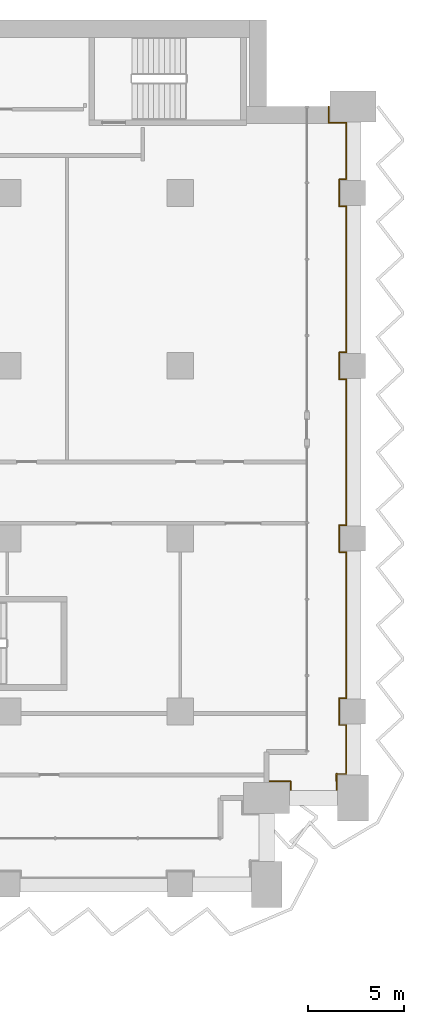
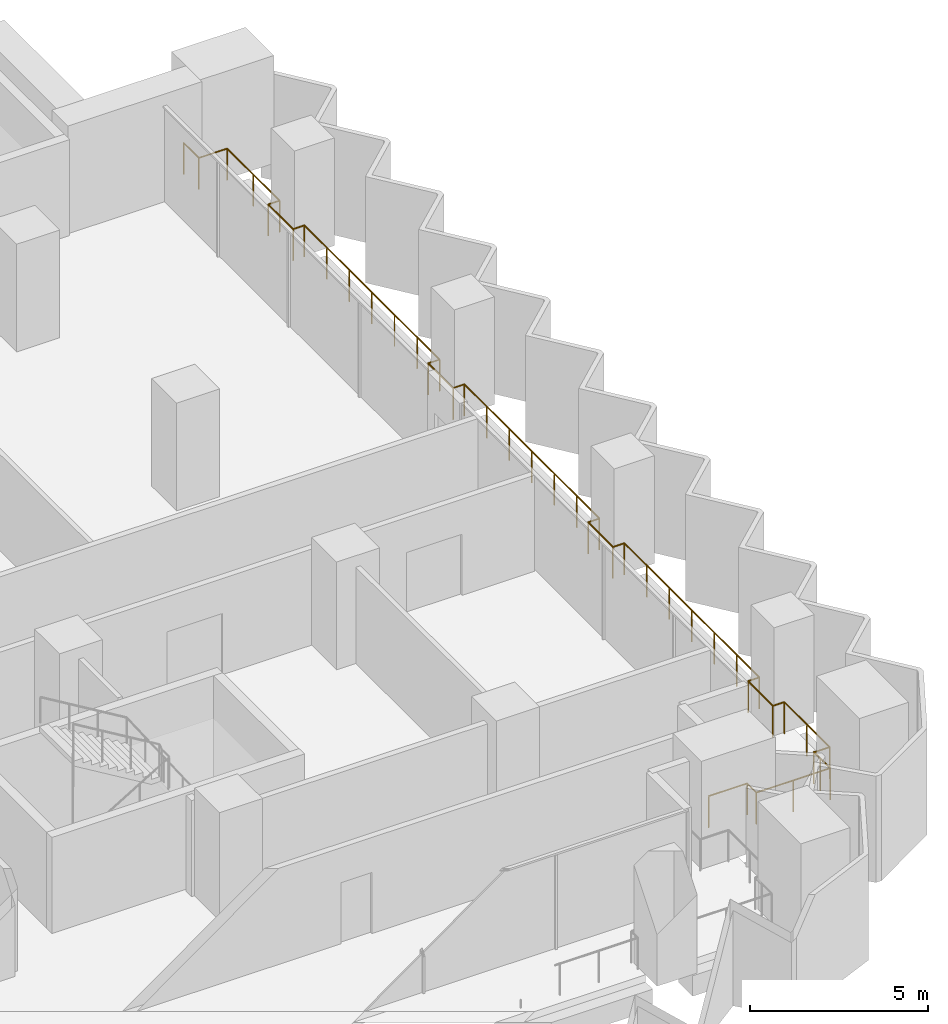
# One storey, part 29 of 29: 1 railing.
"""IFC4 building model written with IfcOpenShell, lengths in metres."""

from ifc_helpers import new_model, si_unit, direction, frame, origin, origin_2d, place, context, subcontext, project, spatial, circle, extrude, material, type_object, element, save


model = new_model("IFC4")

# Units and contexts
model_context = context("Model", 3, precision=1e-05, world=origin(), true_north=direction((0.0, 1.0)))
body_context = subcontext(model_context, "Body", "Model", "MODEL_VIEW")
ifc_project = project(units=[si_unit("LENGTHUNIT", "METRE"), si_unit("AREAUNIT", "SQUARE_METRE"), si_unit("VOLUMEUNIT", "CUBIC_METRE"), si_unit("PLANEANGLEUNIT", "RADIAN"), si_unit("MASSUNIT", "GRAM", prefix="KILO")], contexts=[model_context])

# Site, building, storey
site_placement = place(None, origin())
site = spatial("IfcSite", under=ifc_project, at=site_placement, CompositionType="ELEMENT")
building_placement = place(site_placement, origin())
building = spatial("IfcBuilding", under=site, at=building_placement, Name="Hunhe Ridgeline Campus", CompositionType="ELEMENT")
storey_placement = place(building_placement, frame((0.0, 0.0, 46.89990234375)))
storey = spatial("IfcBuildingStorey", under=building, at=storey_placement, Name="L10", CompositionType="ELEMENT", Elevation=46.89990234375)

# Railing
ifc_material = material(Name="Steel Q355", Category="steel")
railing_type = type_object("IfcRailingType", Name="Loggia guard 1100 Steel Q355", PredefinedType="GUARDRAIL", material=ifc_material)
railing_placement = place(storey_placement, frame((94.5, 59.3701171875, 0.0)))
element("IfcRailing", 1, at=railing_placement, inside=storey, type_object=railing_type, Name="Loggia guard 3", PredefinedType="GUARDRAIL", context=body_context, shape_type="SweptSolid", body=[
    extrude(circle(Radius=0.02392578125, at=origin_2d()), frame((0.0, 0.0, 1.076171875), z_axis=(1.0, 0.0, 0.0), x_axis=(0.0, 1.0, 0.0)), (0.0, 0.0, 1.0), 1.25),
    extrude(circle(Radius=0.02392578125, at=origin_2d()), frame((1.25, 0.0, 1.076171875), z_axis=(0.0, -1.0, 0.0), x_axis=(1.0, 0.0, 0.0)), (0.0, 0.0, 1.0), 0.52001953125),
    extrude(circle(Radius=0.02392578125, at=origin_2d()), frame((1.25, -0.52001953125, 1.076171875), z_axis=(1.0, 0.0, 0.0), x_axis=(0.0, 1.0, 0.0)), (0.0, 0.0, 1.0), 2.39990234375),
    extrude(circle(Radius=0.02392578125, at=origin_2d()), frame((3.64990234375, -0.52001953125, 1.076171875), z_axis=(0.0, 1.0, 0.0), x_axis=(-1.0, 0.0, 0.0)), (0.0, 0.0, 1.0), 0.919921875),
    extrude(circle(Radius=0.02392578125, at=origin_2d()), frame((3.64990234375, 0.39990234375, 1.076171875), z_axis=(-0.049998438503, -0.998749295943, 0.0), x_axis=(0.998749295943, -0.049998438503, 0.0)), (0.0, 0.0, 1.0), 0.400390625),
    extrude(circle(Radius=0.02392578125, at=origin_2d()), frame((3.6298828125, 0.0, 1.076171875), z_axis=(0.0, 1.0, 0.0), x_axis=(-1.0, 0.0, 0.0)), (0.0, 0.0, 1.0), 0.3798828125),
    extrude(circle(Radius=0.02392578125, at=origin_2d()), frame((3.6298828125, 0.3798828125, 1.076171875), z_axis=(1.0, 0.0, 0.0), x_axis=(0.0, 1.0, 0.0)), (0.0, 0.0, 1.0), 0.52001953125),
    extrude(circle(Radius=0.02392578125, at=origin_2d()), frame((4.14990234375, 0.3798828125, 1.076171875), z_axis=(0.0, 1.0, 0.0), x_axis=(-1.0, 0.0, 0.0)), (0.0, 0.0, 1.0), 2.550048828125),
    extrude(circle(Radius=0.02392578125, at=origin_2d()), frame((4.14990234375, 2.929931640625, 1.076171875), z_axis=(-1.0, 0.0, 0.0), x_axis=(0.0, -1.0, 0.0)), (0.0, 0.0, 1.0), 0.369873046875),
    extrude(circle(Radius=0.02392578125, at=origin_2d()), frame((3.780029296875, 2.929931640625, 1.076171875), z_axis=(0.0, 1.0, 0.0), x_axis=(-1.0, 0.0, 0.0)), (0.0, 0.0, 1.0), 1.39990234375),
    extrude(circle(Radius=0.02392578125, at=origin_2d()), frame((3.780029296875, 4.329833984375, 1.076171875), z_axis=(1.0, 0.0, 0.0), x_axis=(0.0, 1.0, 0.0)), (0.0, 0.0, 1.0), 0.369873046875),
    extrude(circle(Radius=0.02392578125, at=origin_2d()), frame((4.14990234375, 4.329833984375, 1.076171875), z_axis=(0.0, 1.0, 0.0), x_axis=(-1.0, 0.0, 0.0)), (0.0, 0.0, 1.0), 7.60009765625),
    extrude(circle(Radius=0.02392578125, at=origin_2d()), frame((4.14990234375, 11.929931640625, 1.076171875), z_axis=(-1.0, 0.0, 0.0), x_axis=(0.0, -1.0, 0.0)), (0.0, 0.0, 1.0), 0.369873046875),
    extrude(circle(Radius=0.02392578125, at=origin_2d()), frame((3.780029296875, 11.929931640625, 1.076171875), z_axis=(0.0, 1.0, 0.0), x_axis=(-1.0, 0.0, 0.0)), (0.0, 0.0, 1.0), 1.39990234375),
    extrude(circle(Radius=0.02392578125, at=origin_2d()), frame((3.780029296875, 13.329833984375, 1.076171875), z_axis=(1.0, 0.0, 0.0), x_axis=(0.0, 1.0, 0.0)), (0.0, 0.0, 1.0), 0.369873046875),
    extrude(circle(Radius=0.02392578125, at=origin_2d()), frame((4.14990234375, 13.329833984375, 1.076171875), z_axis=(0.0, 1.0, 0.0), x_axis=(-1.0, 0.0, 0.0)), (0.0, 0.0, 1.0), 7.60009765625),
    extrude(circle(Radius=0.02392578125, at=origin_2d()), frame((4.14990234375, 20.929931640625, 1.076171875), z_axis=(-1.0, 0.0, 0.0), x_axis=(0.0, -1.0, 0.0)), (0.0, 0.0, 1.0), 0.369873046875),
    extrude(circle(Radius=0.02392578125, at=origin_2d()), frame((3.780029296875, 20.929931640625, 1.076171875), z_axis=(0.0, 1.0, 0.0), x_axis=(-1.0, 0.0, 0.0)), (0.0, 0.0, 1.0), 1.39990234375),
    extrude(circle(Radius=0.02392578125, at=origin_2d()), frame((3.780029296875, 22.329833984375, 1.076171875), z_axis=(1.0, 0.0, 0.0), x_axis=(0.0, 1.0, 0.0)), (0.0, 0.0, 1.0), 0.369873046875),
    extrude(circle(Radius=0.02392578125, at=origin_2d()), frame((4.14990234375, 22.329833984375, 1.076171875), z_axis=(0.0, 1.0, 0.0), x_axis=(-1.0, 0.0, 0.0)), (0.0, 0.0, 1.0), 7.60009765625),
    extrude(circle(Radius=0.02392578125, at=origin_2d()), frame((4.14990234375, 29.929931640625, 1.076171875), z_axis=(-1.0, 0.0, 0.0), x_axis=(0.0, -1.0, 0.0)), (0.0, 0.0, 1.0), 0.369873046875),
    extrude(circle(Radius=0.02392578125, at=origin_2d()), frame((3.780029296875, 29.929931640625, 1.076171875), z_axis=(0.0, 1.0, 0.0), x_axis=(-1.0, 0.0, 0.0)), (0.0, 0.0, 1.0), 1.39990234375),
    extrude(circle(Radius=0.02392578125, at=origin_2d()), frame((3.780029296875, 31.329833984375, 1.076171875), z_axis=(1.0, 0.0, 0.0), x_axis=(0.0, 1.0, 0.0)), (0.0, 0.0, 1.0), 0.369873046875),
    extrude(circle(Radius=0.02392578125, at=origin_2d()), frame((4.14990234375, 31.329833984375, 1.076171875), z_axis=(0.0, 1.0, 0.0), x_axis=(-1.0, 0.0, 0.0)), (0.0, 0.0, 1.0), 2.949951171875),
    extrude(circle(Radius=0.02392578125, at=origin_2d()), frame((4.14990234375, 34.27978515625, 1.076171875), z_axis=(-1.0, 0.0, 0.0), x_axis=(0.0, -1.0, 0.0)), (0.0, 0.0, 1.0), 0.919921875),
    extrude(circle(Radius=0.02392578125, at=origin_2d()), frame((3.22998046875, 34.27978515625, 1.076171875), z_axis=(0.0, 1.0, 0.0), x_axis=(-1.0, 0.0, 0.0)), (0.0, 0.0, 1.0), 0.85009765625),
    extrude(circle(Radius=0.02099609375, at=origin_2d()), origin(), (0.0, 0.0, 1.0), 1.052001953125),
    extrude(circle(Radius=0.02099609375, at=origin_2d()), frame((1.25, 0.0, 0.0)), (0.0, 0.0, 1.0), 1.052001953125),
    extrude(circle(Radius=0.02099609375, at=origin_2d()), frame((1.25, -0.52001953125, 0.0)), (0.0, 0.0, 1.0), 1.052001953125),
    extrude(circle(Radius=0.02099609375, at=origin_2d()), frame((2.449951171875, -0.52001953125, 0.0)), (0.0, 0.0, 1.0), 1.052001953125),
    extrude(circle(Radius=0.02099609375, at=origin_2d()), frame((3.64990234375, -0.52001953125, 0.0)), (0.0, 0.0, 1.0), 1.052001953125),
    extrude(circle(Radius=0.02099609375, at=origin_2d()), frame((3.64990234375, 0.39990234375, 0.0)), (0.0, 0.0, 1.0), 1.052001953125),
    extrude(circle(Radius=0.02099609375, at=origin_2d()), frame((3.6298828125, 0.0, 0.0)), (0.0, 0.0, 1.0), 1.052001953125),
    extrude(circle(Radius=0.02099609375, at=origin_2d()), frame((3.6298828125, 0.3798828125, 0.0)), (0.0, 0.0, 1.0), 1.052001953125),
    extrude(circle(Radius=0.02099609375, at=origin_2d()), frame((4.14990234375, 0.3798828125, 0.0)), (0.0, 0.0, 1.0), 1.052001953125),
    extrude(circle(Radius=0.02099609375, at=origin_2d()), frame((4.14990234375, 1.65478515625, 0.0)), (0.0, 0.0, 1.0), 1.052001953125),
    extrude(circle(Radius=0.02099609375, at=origin_2d()), frame((4.14990234375, 2.929931640625, 0.0)), (0.0, 0.0, 1.0), 1.052001953125),
    extrude(circle(Radius=0.02099609375, at=origin_2d()), frame((3.780029296875, 2.929931640625, 0.0)), (0.0, 0.0, 1.0), 1.052001953125),
    extrude(circle(Radius=0.02099609375, at=origin_2d()), frame((3.780029296875, 4.329833984375, 0.0)), (0.0, 0.0, 1.0), 1.052001953125),
    extrude(circle(Radius=0.02099609375, at=origin_2d()), frame((4.14990234375, 4.329833984375, 0.0)), (0.0, 0.0, 1.0), 1.052001953125),
    extrude(circle(Radius=0.02099609375, at=origin_2d()), frame((4.14990234375, 5.596435546875, 0.0)), (0.0, 0.0, 1.0), 1.052001953125),
    extrude(circle(Radius=0.02099609375, at=origin_2d()), frame((4.14990234375, 6.86328125, 0.0)), (0.0, 0.0, 1.0), 1.052001953125),
    extrude(circle(Radius=0.02099609375, at=origin_2d()), frame((4.14990234375, 8.1298828125, 0.0)), (0.0, 0.0, 1.0), 1.052001953125),
    extrude(circle(Radius=0.02099609375, at=origin_2d()), frame((4.14990234375, 9.396484375, 0.0)), (0.0, 0.0, 1.0), 1.052001953125),
    extrude(circle(Radius=0.02099609375, at=origin_2d()), frame((4.14990234375, 10.663330078125, 0.0)), (0.0, 0.0, 1.0), 1.052001953125),
    extrude(circle(Radius=0.02099609375, at=origin_2d()), frame((4.14990234375, 11.929931640625, 0.0)), (0.0, 0.0, 1.0), 1.052001953125),
    extrude(circle(Radius=0.02099609375, at=origin_2d()), frame((3.780029296875, 11.929931640625, 0.0)), (0.0, 0.0, 1.0), 1.052001953125),
    extrude(circle(Radius=0.02099609375, at=origin_2d()), frame((3.780029296875, 13.329833984375, 0.0)), (0.0, 0.0, 1.0), 1.052001953125),
    extrude(circle(Radius=0.02099609375, at=origin_2d()), frame((4.14990234375, 13.329833984375, 0.0)), (0.0, 0.0, 1.0), 1.052001953125),
    extrude(circle(Radius=0.02099609375, at=origin_2d()), frame((4.14990234375, 14.596435546875, 0.0)), (0.0, 0.0, 1.0), 1.052001953125),
    extrude(circle(Radius=0.02099609375, at=origin_2d()), frame((4.14990234375, 15.86328125, 0.0)), (0.0, 0.0, 1.0), 1.052001953125),
    extrude(circle(Radius=0.02099609375, at=origin_2d()), frame((4.14990234375, 17.1298828125, 0.0)), (0.0, 0.0, 1.0), 1.052001953125),
    extrude(circle(Radius=0.02099609375, at=origin_2d()), frame((4.14990234375, 18.396484375, 0.0)), (0.0, 0.0, 1.0), 1.052001953125),
    extrude(circle(Radius=0.02099609375, at=origin_2d()), frame((4.14990234375, 19.663330078125, 0.0)), (0.0, 0.0, 1.0), 1.052001953125),
    extrude(circle(Radius=0.02099609375, at=origin_2d()), frame((4.14990234375, 20.929931640625, 0.0)), (0.0, 0.0, 1.0), 1.052001953125),
    extrude(circle(Radius=0.02099609375, at=origin_2d()), frame((3.780029296875, 20.929931640625, 0.0)), (0.0, 0.0, 1.0), 1.052001953125),
    extrude(circle(Radius=0.02099609375, at=origin_2d()), frame((3.780029296875, 22.329833984375, 0.0)), (0.0, 0.0, 1.0), 1.052001953125),
    extrude(circle(Radius=0.02099609375, at=origin_2d()), frame((4.14990234375, 22.329833984375, 0.0)), (0.0, 0.0, 1.0), 1.052001953125),
    extrude(circle(Radius=0.02099609375, at=origin_2d()), frame((4.14990234375, 23.596435546875, 0.0)), (0.0, 0.0, 1.0), 1.052001953125),
    extrude(circle(Radius=0.02099609375, at=origin_2d()), frame((4.14990234375, 24.86328125, 0.0)), (0.0, 0.0, 1.0), 1.052001953125),
    extrude(circle(Radius=0.02099609375, at=origin_2d()), frame((4.14990234375, 26.1298828125, 0.0)), (0.0, 0.0, 1.0), 1.052001953125),
    extrude(circle(Radius=0.02099609375, at=origin_2d()), frame((4.14990234375, 27.396484375, 0.0)), (0.0, 0.0, 1.0), 1.052001953125),
    extrude(circle(Radius=0.02099609375, at=origin_2d()), frame((4.14990234375, 28.663330078125, 0.0)), (0.0, 0.0, 1.0), 1.052001953125),
    extrude(circle(Radius=0.02099609375, at=origin_2d()), frame((4.14990234375, 29.929931640625, 0.0)), (0.0, 0.0, 1.0), 1.052001953125),
    extrude(circle(Radius=0.02099609375, at=origin_2d()), frame((3.780029296875, 29.929931640625, 0.0)), (0.0, 0.0, 1.0), 1.052001953125),
    extrude(circle(Radius=0.02099609375, at=origin_2d()), frame((3.780029296875, 31.329833984375, 0.0)), (0.0, 0.0, 1.0), 1.052001953125),
    extrude(circle(Radius=0.02099609375, at=origin_2d()), frame((4.14990234375, 31.329833984375, 0.0)), (0.0, 0.0, 1.0), 1.052001953125),
    extrude(circle(Radius=0.02099609375, at=origin_2d()), frame((4.14990234375, 32.8046875, 0.0)), (0.0, 0.0, 1.0), 1.052001953125),
    extrude(circle(Radius=0.02099609375, at=origin_2d()), frame((4.14990234375, 34.27978515625, 0.0)), (0.0, 0.0, 1.0), 1.052001953125),
    extrude(circle(Radius=0.02099609375, at=origin_2d()), frame((3.22998046875, 34.27978515625, 0.0)), (0.0, 0.0, 1.0), 1.052001953125),
    extrude(circle(Radius=0.02099609375, at=origin_2d()), frame((3.22998046875, 35.1298828125, 0.0)), (0.0, 0.0, 1.0), 1.052001953125),
])

save(model, "model.ifc")
